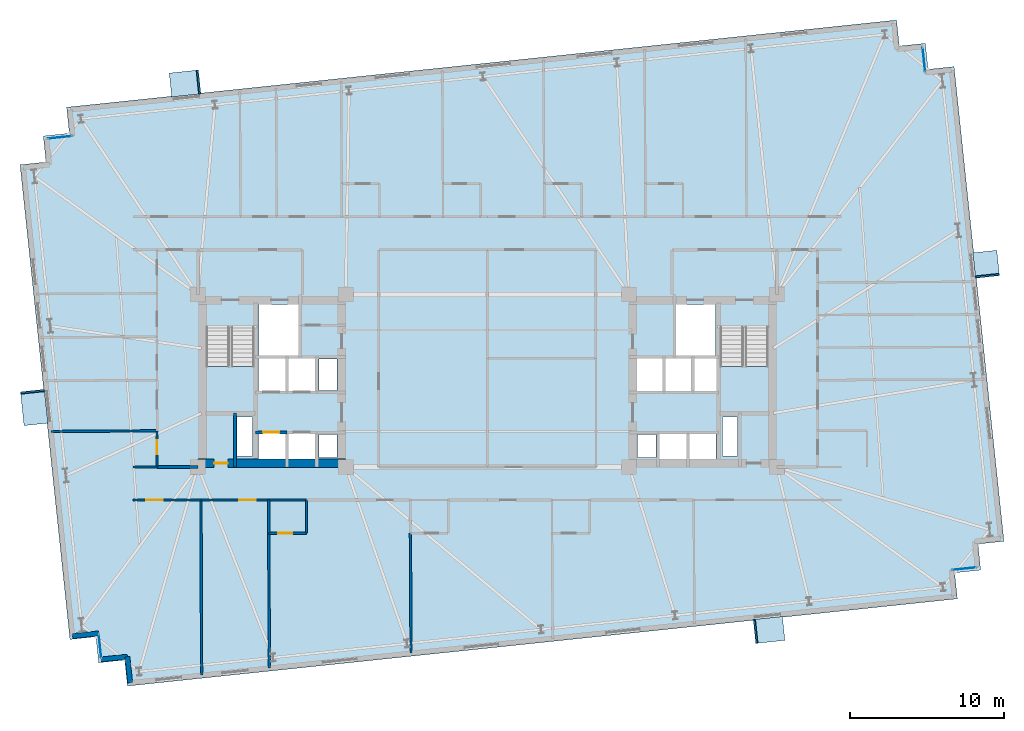
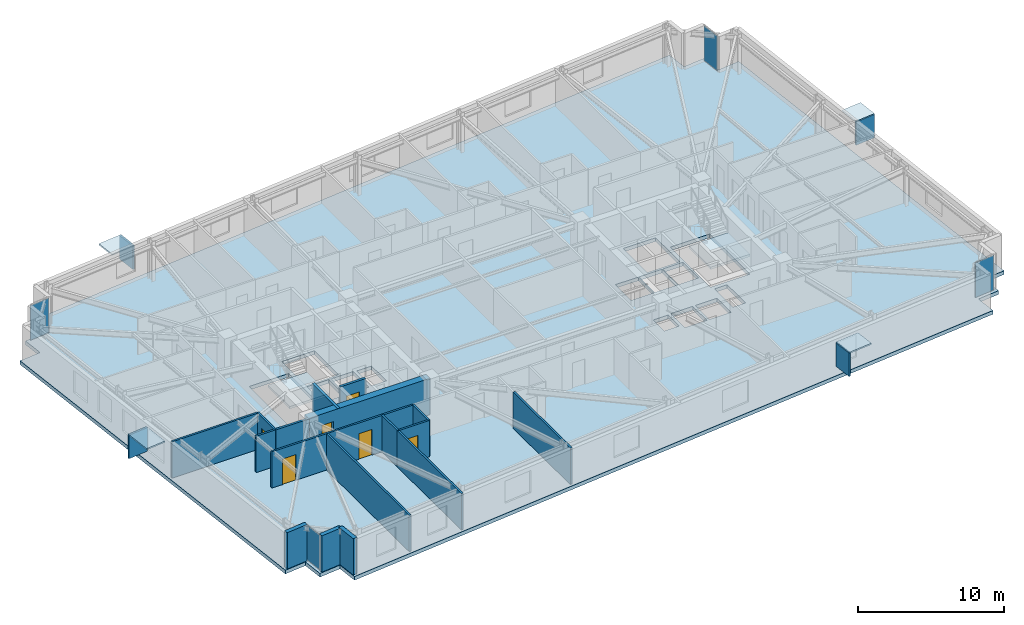
# One storey, part 11 of 19: 19 walls, 12 plates, 6 doors, 3 slabs, 6 openings, 6 elements without a shape of their own.
"""IFC4 building model written with IfcOpenShell, lengths in metres."""

from ifc_helpers import new_model, si_unit, direction, frame, frame_2d, origin, origin_2d, place, context, subcontext, project, spatial, polyline, rectangle, outline, extrude, material, layer, layer_set, type_object, element, fill, aggregate, save


model = new_model("IFC4")

# Units and contexts
model_context = context("Model", 3, precision=1e-05, world=origin(), true_north=direction((0.0, 1.0)))
body_context = subcontext(model_context, "Body", "Model", "MODEL_VIEW")
ifc_project = project(units=[si_unit("LENGTHUNIT", "METRE"), si_unit("AREAUNIT", "SQUARE_METRE"), si_unit("VOLUMEUNIT", "CUBIC_METRE"), si_unit("PLANEANGLEUNIT", "RADIAN"), si_unit("MASSUNIT", "GRAM", prefix="KILO")], contexts=[model_context])

# Site, building, storey
site_placement = place(None, origin())
site = spatial("IfcSite", under=ifc_project, at=site_placement, CompositionType="ELEMENT")
building_placement = place(site_placement, origin())
building = spatial("IfcBuilding", under=site, at=building_placement, Name="Qobustan Lattice House", CompositionType="ELEMENT")
storey_placement = place(building_placement, frame((0.0, 0.0, 85.699951171875)))
storey = spatial("IfcBuildingStorey", under=building, at=storey_placement, Name="L23", CompositionType="ELEMENT", Elevation=85.699951171875)

# Curtain wall, plate
ifc_material_1 = material(Name="Anodised aluminium and low-E glazing", Category="aluminium")
ifc_layer_1 = layer(ifc_material_1, 0.219970703125)
ifc_layer_set_1 = layer_set([ifc_layer_1], Name="Anodised aluminium and low-E glazing")
curtain_wall_type = type_object("IfcCurtainWallType", Name="CW-FAC-01", PredefinedType="USERDEFINED", material=ifc_layer_set_1)
curtain_wall_1_placement = place(storey_placement, origin())
curtain_wall_1 = element("IfcCurtainWall", 1, at=curtain_wall_1_placement, inside=storey, type_object=curtain_wall_type, Name="L23 serrated corner faceted glazing 3", ObjectType="CURTAIN WALL", PredefinedType="USERDEFINED")
ifc_material_2 = material(Name="Clear low-E laminated glass", Category="glass")
ifc_layer_2 = layer(ifc_material_2, 0.031982421875)
ifc_layer_set_2 = layer_set([ifc_layer_2], Name="Clear low-E laminated glass")
plate_type_1 = type_object("IfcPlateType", Name="CWP-VISION-32", PredefinedType="CURTAIN_PANEL", material=ifc_layer_set_2)
plate_1_placement = place(storey_placement, frame((-25.155029296875, -17.2509765625, 0.06494140625), z_axis=(0.0, 0.0, 1.0), x_axis=(-0.104528620025, 0.994521878892, 0.0)))
plate_1 = element("IfcPlate", 2, at=plate_1_placement, type_object=plate_type_1, Name="CW-F1 panel 1.1", PredefinedType="CURTAIN_PANEL", context=body_context, shape_type="SweptSolid", body=[
    extrude(rectangle(XDim=1.56005859375, YDim=0.031982421875, at=origin_2d()), origin(), (0.0, 0.0, 1.0), 2.9150390625),
])
aggregate(curtain_wall_1, [plate_1])

curtain_wall_2_placement = place(storey_placement, origin())
curtain_wall_2 = element("IfcCurtainWall", 3, at=curtain_wall_2_placement, inside=storey, type_object=curtain_wall_type, Name="L23 serrated corner faceted glazing 8", ObjectType="CURTAIN WALL", PredefinedType="USERDEFINED")
plate_2_placement = place(storey_placement, frame((-27.77490234375, 15.80615234375, 0.06494140625), z_axis=(0.0, 0.0, 1.0), x_axis=(0.994521878892, 0.104528620025, 0.0)))
plate_2 = element("IfcPlate", 4, at=plate_2_placement, type_object=plate_type_1, Name="CW-F1 panel 1.1", PredefinedType="CURTAIN_PANEL", context=body_context, shape_type="SweptSolid", body=[
    extrude(rectangle(XDim=1.56005859375, YDim=0.031982421875, at=origin_2d()), origin(), (0.0, 0.0, 1.0), 2.9150390625),
])
aggregate(curtain_wall_2, [plate_2])

curtain_wall_3_placement = place(storey_placement, origin())
curtain_wall_3 = element("IfcCurtainWall", 5, at=curtain_wall_3_placement, inside=storey, type_object=curtain_wall_type, Name="L23 serrated corner faceted glazing 13", ObjectType="CURTAIN WALL", PredefinedType="USERDEFINED")
plate_3_placement = place(storey_placement, frame((28.355224609375, 20.85107421875, 0.06494140625), z_axis=(0.0, 0.0, 1.0), x_axis=(0.104528620025, -0.994521878892, 0.0)))
plate_3 = element("IfcPlate", 6, at=plate_3_placement, type_object=plate_type_1, Name="CW-F1 panel 1.1", PredefinedType="CURTAIN_PANEL", context=body_context, shape_type="SweptSolid", body=[
    extrude(rectangle(XDim=1.56005859375, YDim=0.031982421875, at=origin_2d()), origin(), (0.0, 0.0, 1.0), 2.9150390625),
])
aggregate(curtain_wall_3, [plate_3])

curtain_wall_4_placement = place(storey_placement, origin())
curtain_wall_4 = element("IfcCurtainWall", 7, at=curtain_wall_4_placement, inside=storey, type_object=curtain_wall_type, Name="L23 serrated corner faceted glazing 18", ObjectType="CURTAIN WALL", PredefinedType="USERDEFINED")
plate_4_placement = place(storey_placement, frame((30.974853515625, -12.206298828125, 0.06494140625), z_axis=(0.0, 0.0, 1.0), x_axis=(-0.994521878892, -0.104528620025, 0.0)))
plate_4 = element("IfcPlate", 8, at=plate_4_placement, type_object=plate_type_1, Name="CW-F1 panel 1.1", PredefinedType="CURTAIN_PANEL", context=body_context, shape_type="SweptSolid", body=[
    extrude(rectangle(XDim=1.56005859375, YDim=0.031982421875, at=origin_2d()), origin(), (0.0, 0.0, 1.0), 2.9150390625),
])
aggregate(curtain_wall_4, [plate_4])

# Plates
ifc_material_3 = material(Name="Qobustan limestone GFRC", Category="masonry")
ifc_layer_3 = layer(ifc_material_3, 0.1201171875)
ifc_layer_set_3 = layer_set([ifc_layer_3], Name="Qobustan limestone GFRC")
plate_type_2 = type_object("IfcPlateType", Name="SHD-HOOD-BROW", PredefinedType="USERDEFINED", material=ifc_layer_set_3)
plate_5_placement = place(storey_placement, frame((-29.4296875, -1.743408203125, 2.699951171875), z_axis=(0.0, 0.0, 1.0), x_axis=(-0.104528463268, 0.994521895368, 0.0)))
element("IfcPlate", 9, at=plate_5_placement, inside=storey, type_object=plate_type_2, Name="L23 splayed Qobustan stone hood brow", ObjectType="SUNSHADE", PredefinedType="USERDEFINED", context=body_context, shape_type="SweptSolid", body=[
    extrude(rectangle(XDim=2.18994140625, YDim=1.56005859375, at=origin_2d()), origin(), (0.0, 0.0, 1.0), 0.1201171875),
])
plate_6_placement = place(storey_placement, frame((-29.537841796875, -0.714111328125, 0.7900390625), z_axis=(0.0, 0.0, 1.0), x_axis=(-0.104528463268, 0.994521895368, 0.0)))
element("IfcPlate", 10, at=plate_6_placement, inside=storey, type_object=plate_type_2, Name="L23 splayed Qobustan stone hood cheek", ObjectType="SUNSHADE", PredefinedType="USERDEFINED", context=body_context, shape_type="SweptSolid", body=[
    extrude(rectangle(XDim=0.1201171875, YDim=1.56005859375, at=origin_2d()), origin(), (0.0, 0.0, 1.0), 1.969970703125),
])
plate_7_placement = place(storey_placement, frame((-19.640380859375, 19.3056640625, 2.699951171875), z_axis=(0.0, 0.0, 1.0), x_axis=(0.994521895368, 0.104528463268, 0.0)))
element("IfcPlate", 11, at=plate_7_placement, inside=storey, type_object=plate_type_2, Name="L23 splayed Qobustan stone hood brow", ObjectType="SUNSHADE", PredefinedType="USERDEFINED", context=body_context, shape_type="SweptSolid", body=[
    extrude(rectangle(XDim=1.889892578125, YDim=1.56005859375, at=origin_2d()), origin(), (0.0, 0.0, 1.0), 0.1201171875),
])
plate_8_placement = place(storey_placement, frame((-18.76025390625, 19.398193359375, 0.7900390625), z_axis=(0.0, 0.0, 1.0), x_axis=(0.994521895368, 0.104528463268, 0.0)))
element("IfcPlate", 12, at=plate_8_placement, inside=storey, type_object=plate_type_2, Name="L23 splayed Qobustan stone hood cheek", ObjectType="SUNSHADE", PredefinedType="USERDEFINED", context=body_context, shape_type="SweptSolid", body=[
    extrude(rectangle(XDim=0.1201171875, YDim=1.56005859375, at=origin_2d()), origin(), (0.0, 0.0, 1.0), 1.969970703125),
])
plate_9_placement = place(storey_placement, frame((32.39501953125, 7.573974609375, 2.699951171875), z_axis=(0.0, 0.0, 1.0), x_axis=(0.104528463268, -0.994521895368, 0.0)))
element("IfcPlate", 13, at=plate_9_placement, inside=storey, type_object=plate_type_2, Name="L23 splayed Qobustan stone hood brow", ObjectType="SUNSHADE", PredefinedType="USERDEFINED", context=body_context, shape_type="SweptSolid", body=[
    extrude(rectangle(XDim=1.639892578125, YDim=1.56005859375, at=origin_2d()), origin(), (0.0, 0.0, 1.0), 0.1201171875),
])
plate_10_placement = place(storey_placement, frame((32.474609375, 6.818115234375, 0.7900390625), z_axis=(0.0, 0.0, 1.0), x_axis=(0.104528463268, -0.994521895368, 0.0)))
element("IfcPlate", 14, at=plate_10_placement, inside=storey, type_object=plate_type_2, Name="L23 splayed Qobustan stone hood cheek", ObjectType="SUNSHADE", PredefinedType="USERDEFINED", context=body_context, shape_type="SweptSolid", body=[
    extrude(rectangle(XDim=0.1201171875, YDim=1.56005859375, at=origin_2d()), origin(), (0.0, 0.0, 1.0), 1.969970703125),
])
plate_11_placement = place(storey_placement, frame((18.302001953125, -16.1826171875, 2.699951171875), z_axis=(0.0, 0.0, 1.0), x_axis=(-0.994521895368, -0.104528463268, 0.0)))
element("IfcPlate", 15, at=plate_11_placement, inside=storey, type_object=plate_type_2, Name="L23 splayed Qobustan stone hood brow", ObjectType="SUNSHADE", PredefinedType="USERDEFINED", context=body_context, shape_type="SweptSolid", body=[
    extrude(rectangle(XDim=1.889892578125, YDim=1.56005859375, at=origin_2d()), origin(), (0.0, 0.0, 1.0), 0.1201171875),
])
plate_12_placement = place(storey_placement, frame((17.421875, -16.275146484375, 0.7900390625), z_axis=(0.0, 0.0, 1.0), x_axis=(-0.994521895368, -0.104528463268, 0.0)))
element("IfcPlate", 16, at=plate_12_placement, inside=storey, type_object=plate_type_2, Name="L23 splayed Qobustan stone hood cheek", ObjectType="SUNSHADE", PredefinedType="USERDEFINED", context=body_context, shape_type="SweptSolid", body=[
    extrude(rectangle(XDim=0.1201171875, YDim=1.56005859375, at=origin_2d()), origin(), (0.0, 0.0, 1.0), 1.969970703125),
])

# Slab
ifc_material_4 = material(Name="Concrete C40/50", Category="concrete")
ifc_layer_4 = layer(ifc_material_4, 0.304931640625)
ifc_layer_set_4 = layer_set([ifc_layer_4], Name="Concrete C40/50")
slab_type_1 = type_object("IfcSlabType", Name="SLB-FLR-305", PredefinedType="FLOOR", material=ifc_layer_set_4)
slab_1_placement = place(storey_placement, frame((0.0, 0.0, -0.304931640625)))
element("IfcSlab", 17, at=slab_1_placement, inside=storey, type_object=slab_type_1, Name="L23 structural floor slab", PredefinedType="FLOOR", context=body_context, shape_type="SweptSolid", body=[
    extrude(outline(polyline([(-23.3759765625, -19.8291015625), (30.527099609375, -14.163818359375), (30.349365234375, -12.47314453125), (32.0400390625, -12.29541015625), (31.8623046875, -10.604736328125), (33.552978515625, -10.427001953125), (30.312744140625, 20.4033203125), (28.6220703125, 20.2255859375), (28.4443359375, 21.916259765625), (26.753662109375, 21.738525390625), (26.575927734375, 23.42919921875), (-27.3271484375, 17.763671875), (-27.1494140625, 16.072998046875), (-28.840087890625, 15.8955078125), (-28.662353515625, 14.20458984375), (-30.35302734375, 14.027099609375), (-27.11279296875, -16.80322265625), (-25.422119140625, -16.62548828125), (-25.244384765625, -18.316162109375), (-23.5537109375, -18.138427734375), (-23.3759765625, -19.8291015625)]), holes=[polyline([(-18.25, -2.050048828125), (-18.25, 3.489990234375), (-15.1298828125, 3.489990234375), (-15.1298828125, -2.050048828125), (-18.25, -2.050048828125)]), polyline([(15.1298828125, -2.050048828125), (15.1298828125, 3.489990234375), (18.25, 3.489990234375), (18.25, -2.050048828125), (15.1298828125, -2.050048828125)]), polyline([(-14.820068359375, 1.64990234375), (-14.820068359375, 4.9599609375), (-12.25, 4.9599609375), (-12.25, 1.64990234375), (-14.820068359375, 1.64990234375)]), polyline([(12.25, 1.64990234375), (12.25, 4.9599609375), (14.820068359375, 4.9599609375), (14.820068359375, 1.64990234375), (12.25, 1.64990234375)]), polyline([(-16.260009765625, -4.8798828125), (-16.260009765625, -2.360107421875), (-15.260009765625, -2.360107421875), (-15.260009765625, -4.8798828125), (-16.260009765625, -4.8798828125)]), polyline([(15.260009765625, -4.8798828125), (15.260009765625, -2.360107421875), (16.260009765625, -2.360107421875), (16.260009765625, -4.8798828125), (15.260009765625, -4.8798828125)]), polyline([(-14.85009765625, -5.35009765625), (-14.85009765625, -3.419921875), (-13.1201171875, -3.419921875), (-13.1201171875, -5.35009765625), (-14.85009765625, -5.35009765625)]), polyline([(-12.919921875, -5.35009765625), (-12.919921875, -3.419921875), (-11.179931640625, -3.419921875), (-11.179931640625, -5.35009765625), (-12.919921875, -5.35009765625)]), polyline([(-14.85009765625, -0.679931640625), (-14.85009765625, 1.47998046875), (-13.1201171875, 1.47998046875), (-13.1201171875, -0.679931640625), (-14.85009765625, -0.679931640625)]), polyline([(-12.919921875, -0.679931640625), (-12.919921875, 1.47998046875), (-11.179931640625, 1.47998046875), (-11.179931640625, -0.679931640625), (-12.919921875, -0.679931640625)]), polyline([(-10.93994140625, -5.0), (-10.93994140625, -3.47998046875), (-9.760009765625, -3.47998046875), (-9.760009765625, -5.0), (-10.93994140625, -5.0)]), polyline([(-10.93994140625, -0.6201171875), (-10.93994140625, 1.419921875), (-9.760009765625, 1.419921875), (-9.760009765625, -0.6201171875), (-10.93994140625, -0.6201171875)]), polyline([(11.179931640625, -5.35009765625), (11.179931640625, -3.419921875), (12.919921875, -3.419921875), (12.919921875, -5.35009765625), (11.179931640625, -5.35009765625)]), polyline([(13.1201171875, -5.35009765625), (13.1201171875, -3.419921875), (14.85009765625, -3.419921875), (14.85009765625, -5.35009765625), (13.1201171875, -5.35009765625)]), polyline([(9.760009765625, -5.0), (9.760009765625, -3.47998046875), (10.93994140625, -3.47998046875), (10.93994140625, -5.0), (9.760009765625, -5.0)]), polyline([(13.360107421875, -0.679931640625), (13.360107421875, 1.47998046875), (14.97998046875, 1.47998046875), (14.97998046875, -0.679931640625), (13.360107421875, -0.679931640625)]), polyline([(9.6201171875, -0.679931640625), (9.6201171875, 1.47998046875), (11.43994140625, 1.47998046875), (11.43994140625, -0.679931640625), (9.6201171875, -0.679931640625)]), polyline([(11.5, -0.679931640625), (11.5, 1.47998046875), (13.320068359375, 1.47998046875), (13.320068359375, -0.679931640625), (11.5, -0.679931640625)])]), origin(), (0.0, 0.0, 1.0), 0.304931640625),
])

# Stair, slab
ifc_material_5 = material(Name="Concrete C40/50", Category="concrete")
stair_type = type_object("IfcStairType", Name="STR-CORE-DOGLEG", PredefinedType="HALF_TURN_STAIR", material=ifc_material_5)
stair_1_placement = place(storey_placement, origin())
stair_1 = element("IfcStair", 18, at=stair_1_placement, inside=storey, type_object=stair_type, Name="L23 West protected exit stair ST-W1", PredefinedType="HALF_TURN_STAIR")
ifc_material_6 = material(Name="Concrete C40/50", Category="concrete")
ifc_layer_5 = layer(ifc_material_6, 0.199951171875)
ifc_layer_set_5 = layer_set([ifc_layer_5], Name="Concrete C40/50")
slab_type_2 = type_object("IfcSlabType", Name="SLB-LANDING-200", PredefinedType="LANDING", material=ifc_layer_set_5)
slab_2_placement = place(storey_placement, frame((0.0, 0.0, 1.47509765625)))
slab_2 = element("IfcSlab", 19, at=slab_2_placement, type_object=slab_type_2, Name="ST-W1 landing 1", PredefinedType="LANDING", context=body_context, shape_type="SweptSolid", body=[
    extrude(outline(polyline([(-18.25, 0.93505859375), (-18.25, -2.050048828125), (-15.1298828125, -2.050048828125), (-15.1298828125, 0.93505859375), (-18.25, 0.93505859375)])), origin(), (0.0, 0.0, 1.0), 0.199951171875),
])
aggregate(stair_1, [slab_2])

stair_2_placement = place(storey_placement, origin())
stair_2 = element("IfcStair", 20, at=stair_2_placement, inside=storey, type_object=stair_type, Name="L23 East protected exit stair ST-E1", PredefinedType="HALF_TURN_STAIR")
slab_3_placement = place(storey_placement, frame((0.0, 0.0, 1.47509765625)))
slab_3 = element("IfcSlab", 21, at=slab_3_placement, type_object=slab_type_2, Name="ST-E1 landing 1", PredefinedType="LANDING", context=body_context, shape_type="SweptSolid", body=[
    extrude(outline(polyline([(15.1298828125, 0.93505859375), (15.1298828125, -2.050048828125), (18.25, -2.050048828125), (18.25, 0.93505859375), (15.1298828125, 0.93505859375)])), origin(), (0.0, 0.0, 1.0), 0.199951171875),
])
aggregate(stair_2, [slab_3])

# Wall, opening, door
ifc_material_7 = material(Name="Concrete C60/75", Category="concrete")
ifc_layer_6 = layer(ifc_material_7, 0.56005859375)
ifc_layer_set_6 = layer_set([ifc_layer_6], Name="Concrete C60/75")
wall_type_1 = type_object("IfcWallType", Name="WAL-CORE-600", PredefinedType="SHEAR", material=ifc_layer_set_6)
wall_1_placement = place(storey_placement, frame((-18.800048828125, -5.35009765625, 0.0), z_axis=(0.0, 0.0, 1.0), x_axis=(1.0, 0.0, 0.0)))
wall_1 = element("IfcWall", 22, at=wall_1_placement, inside=storey, type_object=wall_type_1, Name="L23 split-core shear wall CW-S", PredefinedType="SHEAR", context=body_context, shape_type="SweptSolid", body=[
    extrude(rectangle(XDim=9.60009765625, YDim=0.56005859375, at=frame_2d((4.800048828125, 0.0))), origin(), (0.0, 0.0, 1.0), 3.045166015625),
])
opening_1_placement = place(wall_1_placement, frame((1.050048828125, 0.0, 0.0)))
opening_1 = element("IfcOpeningElement", 23, at=opening_1_placement, cuts=wall_1, Name="Opening RD-01", PredefinedType="OPENING", context=body_context, shape_type="SweptSolid", body=[
    extrude(rectangle(XDim=0.89990234375, YDim=2.10009765625, at=frame_2d((0.449951171875, 1.050048828125))), frame((0.0, 0.2900390625, 0.0), z_axis=(0.0, -1.0, 0.0), x_axis=(1.0, 0.0, 0.0)), (0.0, 0.0, 1.0), 0.580078125),
])
ifc_material_8 = material(Name="Persian walnut timber and steel frame door", Category="steel")
door_type_1 = type_object("IfcDoorType", Name="DOR-RISER-FD-900x2100", OperationType="NOTDEFINED", PredefinedType="DOOR", material=ifc_material_8)
door_1_placement = place(opening_1_placement, origin())
door_1 = element("IfcDoor", 24, at=door_1_placement, inside=storey, type_object=door_type_1, Name="L23 core service riser access door W", OperationType="SINGLE_SWING_LEFT", OverallHeight=2.10009765625, OverallWidth=0.89990234375, PredefinedType="DOOR", context=body_context, shape_type="SweptSolid", body=[
    extrude(rectangle(XDim=0.89990234375, YDim=2.10009765625, at=frame_2d((0.449951171875, 1.050048828125))), frame((0.0, 0.02490234375, 0.0), z_axis=(0.0, -1.0, 0.0), x_axis=(1.0, 0.0, 0.0)), (0.0, 0.0, 1.0), 0.050048828125),
])
fill(opening_1, door_1)

# Walls
ifc_material_9 = material(Name="Precast concrete C40/50", Category="concrete")
ifc_layer_7 = layer(ifc_material_9, 0.320068359375)
ifc_layer_set_7 = layer_set([ifc_layer_7], Name="Precast concrete C40/50")
wall_type_2 = type_object("IfcWallType", Name="WAL-EXT-STONE-320", PredefinedType="SOLIDWALL", material=ifc_layer_set_7)
for number, where, z_axis, x_axis, name in (
    (25, (-23.197998046875, -19.609375, 0.0), (0.0, 0.0, 1.0), (-0.104550220202, 0.994519608382, 0.0), "L23 exterior limestone-clad wall 1"),
    (26, (-23.375732421875, -17.918701171875, 0.0), (0.0, 0.0, 1.0), (-0.994519608382, -0.104550220202, 0.0), "L23 exterior limestone-clad wall 2"),
):
    element("IfcWall", number, at=place(storey_placement, frame(where, z_axis=z_axis, x_axis=x_axis)), inside=storey, type_object=wall_type_2, Name=name, PredefinedType="SOLIDWALL", context=body_context, shape_type="SweptSolid", body=[
        extrude(rectangle(XDim=1.699951171875, YDim=0.320068359375, at=frame_2d((0.85009765625, 0.0))), origin(), (0.0, 0.0, 1.0), 3.045166015625),
    ])
wall_2_placement = place(storey_placement, frame((-25.243896484375, -16.40576171875, 0.0), z_axis=(0.0, 0.0, 1.0), x_axis=(-0.994521177842, -0.104535289845, 0.0)))
element("IfcWall", 27, at=wall_2_placement, inside=storey, type_object=wall_type_2, Name="L23 exterior limestone-clad wall 4", PredefinedType="SOLIDWALL", context=body_context, shape_type="SweptSolid", body=[
    extrude(rectangle(XDim=1.7001953125, YDim=0.320068359375, at=frame_2d((0.85009765625, 0.0))), origin(), (0.0, 0.0, 1.0), 3.045166015625),
])
ifc_material_10 = material(Name="Gypsum fireboard acoustic partition", Category="gypsum")
ifc_layer_8 = layer(ifc_material_10, 0.179931640625)
ifc_layer_set_8 = layer_set([ifc_layer_8], Name="Gypsum fireboard acoustic partition")
wall_type_3 = type_object("IfcWallType", Name="WAL-FIRE-180", PredefinedType="PARTITIONING", material=ifc_layer_set_8)
wall_3_placement = place(storey_placement, frame((-21.449951171875, -5.60009765625, 0.0), z_axis=(0.0, 0.0, 1.0), x_axis=(1.0, 0.0, 0.0)))
element("IfcWall", 28, at=wall_3_placement, inside=storey, type_object=wall_type_3, Name="L23 interior partition 56", PredefinedType="PARTITIONING", context=body_context, shape_type="SweptSolid", body=[
    extrude(rectangle(XDim=2.64990234375, YDim=0.179931640625, at=frame_2d((1.324951171875, 0.0))), origin(), (0.0, 0.0, 1.0), 3.045166015625),
])

# Wall, opening, door
ifc_material_11 = material(Name="Acoustic twin-stud gypsum partition", Category="gypsum")
ifc_layer_9 = layer(ifc_material_11, 0.14990234375)
ifc_layer_set_9 = layer_set([ifc_layer_9], Name="Acoustic twin-stud gypsum partition")
wall_type_4 = type_object("IfcWallType", Name="WAL-PART-150", PredefinedType="PARTITIONING", material=ifc_layer_set_9)
wall_4_placement = place(storey_placement, frame((-18.60009765625, -7.75, 0.0), z_axis=(0.0, 0.0, 1.0), x_axis=(-1.0, 0.0, 0.0)))
wall_4 = element("IfcWall", 29, at=wall_4_placement, inside=storey, type_object=wall_type_4, Name="L23 interior partition 58", PredefinedType="PARTITIONING", context=body_context, shape_type="SweptSolid", body=[
    extrude(rectangle(XDim=4.39990234375, YDim=0.14990234375, at=frame_2d((2.199951171875, 0.0))), origin(), (0.0, 0.0, 1.0), 3.045166015625),
])
opening_2_placement = place(wall_4_placement, frame((2.49609375, 0.0, 0.0)))
opening_2 = element("IfcOpeningElement", 30, at=opening_2_placement, cuts=wall_4, Name="Opening ID-02", PredefinedType="OPENING", context=body_context, shape_type="SweptSolid", body=[
    extrude(rectangle(XDim=1.050048828125, YDim=2.14990234375, at=frame_2d((0.52490234375, 1.074951171875))), frame((0.0, 0.0849609375, 0.0), z_axis=(0.0, -1.0, 0.0), x_axis=(1.0, 0.0, 0.0)), (0.0, 0.0, 1.0), 0.169921875),
])
ifc_material_12 = material(Name="Persian walnut timber and steel frame door", Category="steel")
door_type_2 = type_object("IfcDoorType", Name="DOR-STUDY-1050x2150", OperationType="NOTDEFINED", PredefinedType="DOOR", material=ifc_material_12)
door_2_placement = place(opening_2_placement, origin())
door_2 = element("IfcDoor", 31, at=door_2_placement, inside=storey, type_object=door_type_2, Name="L23 South-west floor corridor to Focus study room S1A door", OperationType="SINGLE_SWING_LEFT", OverallHeight=2.14990234375, OverallWidth=1.050048828125, PredefinedType="DOOR", context=body_context, shape_type="SweptSolid", body=[
    extrude(rectangle(XDim=1.050048828125, YDim=2.14990234375, at=frame_2d((0.52490234375, 1.074951171875))), frame((0.0, 0.02490234375, 0.0), z_axis=(0.0, -1.0, 0.0), x_axis=(1.0, 0.0, 0.0)), (0.0, 0.0, 1.0), 0.050048828125),
])
fill(opening_2, door_2)

wall_5_placement = place(storey_placement, frame((-14.199951171875, -7.75, 0.0), z_axis=(0.0, 0.0, 1.0), x_axis=(-1.0, 0.0, 0.0)))
wall_5 = element("IfcWall", 32, at=wall_5_placement, inside=storey, type_object=wall_type_4, Name="L23 interior partition 59", PredefinedType="PARTITIONING", context=body_context, shape_type="SweptSolid", body=[
    extrude(rectangle(XDim=4.400146484375, YDim=0.14990234375, at=frame_2d((2.2001953125, 0.0))), origin(), (0.0, 0.0, 1.0), 3.045166015625),
])
opening_3_placement = place(wall_5_placement, frame((0.853759765625, 0.0, 0.0)))
opening_3 = element("IfcOpeningElement", 33, at=opening_3_placement, cuts=wall_5, Name="Opening ID-02", PredefinedType="OPENING", context=body_context, shape_type="SweptSolid", body=[
    extrude(rectangle(XDim=1.050048828125, YDim=2.14990234375, at=frame_2d((0.52490234375, 1.074951171875))), frame((0.0, 0.0849609375, 0.0), z_axis=(0.0, -1.0, 0.0), x_axis=(1.0, 0.0, 0.0)), (0.0, 0.0, 1.0), 0.169921875),
])
door_3_placement = place(opening_3_placement, origin())
door_3 = element("IfcDoor", 34, at=door_3_placement, inside=storey, type_object=door_type_2, Name="L23 South-west floor corridor to Focus study room S1B door", OperationType="SINGLE_SWING_RIGHT", OverallHeight=2.14990234375, OverallWidth=1.050048828125, PredefinedType="DOOR", context=body_context, shape_type="SweptSolid", body=[
    extrude(rectangle(XDim=1.050048828125, YDim=2.14990234375, at=frame_2d((0.52490234375, 1.074951171875))), frame((0.0, 0.02490234375, 0.0), z_axis=(0.0, -1.0, 0.0), x_axis=(1.0, 0.0, 0.0)), (0.0, 0.0, 1.0), 0.050048828125),
])
fill(opening_3, door_3)

# Walls
wall_6_placement = place(storey_placement, frame((-18.60009765625, -7.75, 0.0), z_axis=(0.0, 0.0, 1.0), x_axis=(0.003864456523, -0.99999253296, 0.0)))
element("IfcWall", 35, at=wall_6_placement, inside=storey, type_object=wall_type_4, Name="L23 interior partition 115", PredefinedType="PARTITIONING", context=body_context, shape_type="SweptSolid", body=[
    extrude(rectangle(XDim=11.37158203125, YDim=0.14990234375, at=frame_2d((5.685791015625, 0.0))), origin(), (0.0, 0.0, 1.0), 3.045166015625),
])
wall_7_placement = place(storey_placement, frame((-14.199951171875, -9.89990234375, 0.0), z_axis=(0.0, 0.0, 1.0), x_axis=(0.005017078758, -0.999987414381, 0.0)))
element("IfcWall", 36, at=wall_7_placement, inside=storey, type_object=wall_type_4, Name="L23 interior partition 116", PredefinedType="PARTITIONING", context=body_context, shape_type="SweptSolid", body=[
    extrude(rectangle(XDim=8.759033203125, YDim=0.14990234375, at=frame_2d((4.37939453125, 0.0))), origin(), (0.0, 0.0, 1.0), 3.045166015625),
])
wall_8_placement = place(storey_placement, frame((-5.0, -9.89990234375, 0.0), z_axis=(0.0, 0.0, 1.0), x_axis=(0.005639538101, -0.999984097679, 0.0)))
element("IfcWall", 37, at=wall_8_placement, inside=storey, type_object=wall_type_4, Name="L23 interior partition 120", PredefinedType="PARTITIONING", context=body_context, shape_type="SweptSolid", body=[
    extrude(rectangle(XDim=7.79248046875, YDim=0.14990234375, at=frame_2d((3.896240234375, 0.0))), origin(), (0.0, 0.0, 1.0), 3.045166015625),
])
ifc_material_13 = material(Name="Concrete C40/50", Category="concrete")
ifc_layer_10 = layer(ifc_material_13, 0.199951171875)
ifc_layer_set_10 = layer_set([ifc_layer_10], Name="Concrete C40/50")
wall_type_5 = type_object("IfcWallType", Name="WAL-SHAFT-200", PredefinedType="PARTITIONING", material=ifc_layer_set_10)
wall_9_placement = place(storey_placement, frame((-16.39990234375, -5.60009765625, 0.0), z_axis=(0.0, 0.0, 1.0), x_axis=(0.0, 1.0, 0.0)))
element("IfcWall", 38, at=wall_9_placement, inside=storey, type_object=wall_type_5, Name="L23 interior partition 1", PredefinedType="PARTITIONING", context=body_context, shape_type="SweptSolid", body=[
    extrude(rectangle(XDim=3.489990234375, YDim=0.199951171875, at=frame_2d((1.7451171875, 0.0))), origin(), (0.0, 0.0, 1.0), 3.045166015625),
])

# Wall, opening, door
wall_10_placement = place(storey_placement, frame((-15.050048828125, -3.35009765625, 0.0), z_axis=(0.0, 0.0, 1.0), x_axis=(1.0, 0.0, 0.0)))
wall_10 = element("IfcWall", 39, at=wall_10_placement, inside=storey, type_object=wall_type_5, Name="L23 interior partition 9", PredefinedType="PARTITIONING", context=body_context, shape_type="SweptSolid", body=[
    extrude(rectangle(XDim=2.030029296875, YDim=0.199951171875, at=frame_2d((1.01513671875, 0.0))), origin(), (0.0, 0.0, 1.0), 3.045166015625),
])
opening_4_placement = place(wall_10_placement, frame((0.489990234375, 0.0, 0.0)))
opening_4 = element("IfcOpeningElement", 40, at=opening_4_placement, cuts=wall_10, Name="Opening LD-01", PredefinedType="OPENING", context=body_context, shape_type="SweptSolid", body=[
    extrude(rectangle(XDim=1.050048828125, YDim=2.10009765625, at=frame_2d((0.52490234375, 1.050048828125))), frame((0.0, 0.10986328125, 0.0), z_axis=(0.0, -1.0, 0.0), x_axis=(1.0, 0.0, 0.0)), (0.0, 0.0, 1.0), 0.219970703125),
])
ifc_material_14 = material(Name="Persian walnut timber and steel frame door", Category="steel")
door_type_3 = type_object("IfcDoorType", Name="DOR-LIFT-LD-1050x2100", OperationType="NOTDEFINED", PredefinedType="DOOR", material=ifc_material_14)
door_4_placement = place(opening_4_placement, origin())
door_4 = element("IfcDoor", 41, at=door_4_placement, inside=storey, type_object=door_type_3, Name="L23 lift landing door", OperationType="DOUBLE_DOOR_SLIDING", OverallHeight=2.10009765625, OverallWidth=1.050048828125, PredefinedType="DOOR", context=body_context, shape_type="SweptSolid", body=[
    extrude(rectangle(XDim=1.050048828125, YDim=2.10009765625, at=frame_2d((0.52490234375, 1.050048828125))), frame((0.0, 0.02490234375, 0.0), z_axis=(0.0, -1.0, 0.0), x_axis=(1.0, 0.0, 0.0)), (0.0, 0.0, 1.0), 0.050048828125),
])
fill(opening_4, door_4)

# Walls
ifc_material_15 = material(Name="Moisture-resistant acoustic plumbing wall", Category="gypsum")
ifc_layer_11 = layer(ifc_material_15, 0.14990234375)
ifc_layer_set_11 = layer_set([ifc_layer_11], Name="Moisture-resistant acoustic plumbing wall")
wall_type_6 = type_object("IfcWallType", Name="WAL-WET-150", PredefinedType="PLUMBINGWALL", material=ifc_layer_set_11)
wall_11_placement = place(storey_placement, frame((-23.0, -5.60009765625, 0.0), z_axis=(0.0, 0.0, 1.0), x_axis=(1.0, 0.0, 0.0)))
element("IfcWall", 42, at=wall_11_placement, inside=storey, type_object=wall_type_6, Name="L23 interior partition 57", PredefinedType="PLUMBINGWALL", context=body_context, shape_type="SweptSolid", body=[
    extrude(rectangle(XDim=1.550048828125, YDim=0.14990234375, at=frame_2d((0.77490234375, 0.0))), origin(), (0.0, 0.0, 1.0), 3.045166015625),
])
wall_12_placement = place(storey_placement, frame((-11.75, -7.75, 0.0), z_axis=(0.0, 0.0, 1.0), x_axis=(-1.0, 0.0, 0.0)))
element("IfcWall", 43, at=wall_12_placement, inside=storey, type_object=wall_type_6, Name="L23 interior partition 61", PredefinedType="PLUMBINGWALL", context=body_context, shape_type="SweptSolid", body=[
    extrude(rectangle(XDim=2.449951171875, YDim=0.14990234375, at=frame_2d((1.22509765625, 0.0))), origin(), (0.0, 0.0, 1.0), 3.045166015625),
])

# Wall, opening, door
wall_13_placement = place(storey_placement, frame((-21.449951171875, -5.60009765625, 0.0), z_axis=(0.0, 0.0, 1.0), x_axis=(0.0, 1.0, 0.0)))
wall_13 = element("IfcWall", 44, at=wall_13_placement, inside=storey, type_object=wall_type_6, Name="L23 interior partition 75", PredefinedType="PLUMBINGWALL", context=body_context, shape_type="SweptSolid", body=[
    extrude(rectangle(XDim=2.35009765625, YDim=0.14990234375, at=frame_2d((1.175048828125, 0.0))), origin(), (0.0, 0.0, 1.0), 3.045166015625),
])
opening_5_placement = place(wall_13_placement, frame((0.833740234375, 0.0, 0.0)))
opening_5 = element("IfcOpeningElement", 45, at=opening_5_placement, cuts=wall_13, Name="Opening WD-01", PredefinedType="OPENING", context=body_context, shape_type="SweptSolid", body=[
    extrude(rectangle(XDim=0.89990234375, YDim=2.10009765625, at=frame_2d((0.449951171875, 1.050048828125))), frame((0.0, 0.0849609375, 0.0), z_axis=(0.0, -1.0, 0.0), x_axis=(1.0, 0.0, 0.0)), (0.0, 0.0, 1.0), 0.169921875),
])
ifc_material_16 = material(Name="Persian walnut timber and steel frame door", Category="steel")
door_type_4 = type_object("IfcDoorType", Name="DOR-WET-900x2100", OperationType="NOTDEFINED", PredefinedType="DOOR", material=ifc_material_16)
door_5_placement = place(opening_5_placement, origin())
door_5 = element("IfcDoor", 46, at=door_5_placement, inside=storey, type_object=door_type_4, Name="L23 Residence entrance hall L23W to Shared bathroom L23W door", OperationType="SINGLE_SWING_LEFT", OverallHeight=2.10009765625, OverallWidth=0.89990234375, PredefinedType="DOOR", context=body_context, shape_type="SweptSolid", body=[
    extrude(rectangle(XDim=0.89990234375, YDim=2.10009765625, at=frame_2d((0.449951171875, 1.050048828125))), frame((0.0, 0.02490234375, 0.0), z_axis=(0.0, -1.0, 0.0), x_axis=(1.0, 0.0, 0.0)), (0.0, 0.0, 1.0), 0.050048828125),
])
fill(opening_5, door_5)

# Walls
wall_14_placement = place(storey_placement, frame((-28.33154296875, -3.2939453125, 0.0), z_axis=(0.0, 0.0, 1.0), x_axis=(0.99997961062, 0.006385792383, 0.0)))
element("IfcWall", 47, at=wall_14_placement, inside=storey, type_object=wall_type_6, Name="L23 interior partition 80", PredefinedType="PLUMBINGWALL", context=body_context, shape_type="SweptSolid", body=[
    extrude(rectangle(XDim=6.8818359375, YDim=0.14990234375, at=frame_2d((3.44091796875, 0.0))), origin(), (0.0, 0.0, 1.0), 3.045166015625),
])
wall_15_placement = place(storey_placement, frame((-14.199951171875, -7.75, 0.0), z_axis=(0.0, 0.0, 1.0), x_axis=(0.0, -1.0, 0.0)))
element("IfcWall", 48, at=wall_15_placement, inside=storey, type_object=wall_type_6, Name="L23 interior partition 117", PredefinedType="PLUMBINGWALL", context=body_context, shape_type="SweptSolid", body=[
    extrude(rectangle(XDim=2.14990234375, YDim=0.14990234375, at=frame_2d((1.074951171875, 0.0))), origin(), (0.0, 0.0, 1.0), 3.045166015625),
])

# Wall, opening, door
wall_16_placement = place(storey_placement, frame((-14.199951171875, -9.89990234375, 0.0), z_axis=(0.0, 0.0, 1.0), x_axis=(1.0, 0.0, 0.0)))
wall_16 = element("IfcWall", 49, at=wall_16_placement, inside=storey, type_object=wall_type_6, Name="L23 interior partition 118", PredefinedType="PLUMBINGWALL", context=body_context, shape_type="SweptSolid", body=[
    extrude(rectangle(XDim=2.449951171875, YDim=0.14990234375, at=frame_2d((1.22509765625, 0.0))), origin(), (0.0, 0.0, 1.0), 3.045166015625),
])
opening_6_placement = place(wall_16_placement, frame((0.628662109375, 0.0, 0.0)))
opening_6 = element("IfcOpeningElement", 50, at=opening_6_placement, cuts=wall_16, Name="Opening WD-01", PredefinedType="OPENING", context=body_context, shape_type="SweptSolid", body=[
    extrude(rectangle(XDim=0.89990234375, YDim=2.10009765625, at=frame_2d((0.449951171875, 1.050048828125))), frame((0.0, 0.0849609375, 0.0), z_axis=(0.0, -1.0, 0.0), x_axis=(1.0, 0.0, 0.0)), (0.0, 0.0, 1.0), 0.169921875),
])
door_6_placement = place(opening_6_placement, origin())
door_6 = element("IfcDoor", 51, at=door_6_placement, inside=storey, type_object=door_type_4, Name="L23 Kitchenette and studio apartment L23-S2 to En-suite bathroom L23-S2 door", OperationType="SINGLE_SWING_RIGHT", OverallHeight=2.10009765625, OverallWidth=0.89990234375, PredefinedType="DOOR", context=body_context, shape_type="SweptSolid", body=[
    extrude(rectangle(XDim=0.89990234375, YDim=2.10009765625, at=frame_2d((0.449951171875, 1.050048828125))), frame((0.0, 0.02490234375, 0.0), z_axis=(0.0, -1.0, 0.0), x_axis=(1.0, 0.0, 0.0)), (0.0, 0.0, 1.0), 0.050048828125),
])
fill(opening_6, door_6)

# Wall
wall_17_placement = place(storey_placement, frame((-11.75, -9.89990234375, 0.0), z_axis=(0.0, 0.0, 1.0), x_axis=(0.0, 1.0, 0.0)))
element("IfcWall", 52, at=wall_17_placement, inside=storey, type_object=wall_type_6, Name="L23 interior partition 119", PredefinedType="PLUMBINGWALL", context=body_context, shape_type="SweptSolid", body=[
    extrude(rectangle(XDim=2.14990234375, YDim=0.14990234375, at=frame_2d((1.074951171875, 0.0))), origin(), (0.0, 0.0, 1.0), 3.045166015625),
])

save(model, "model.ifc")
